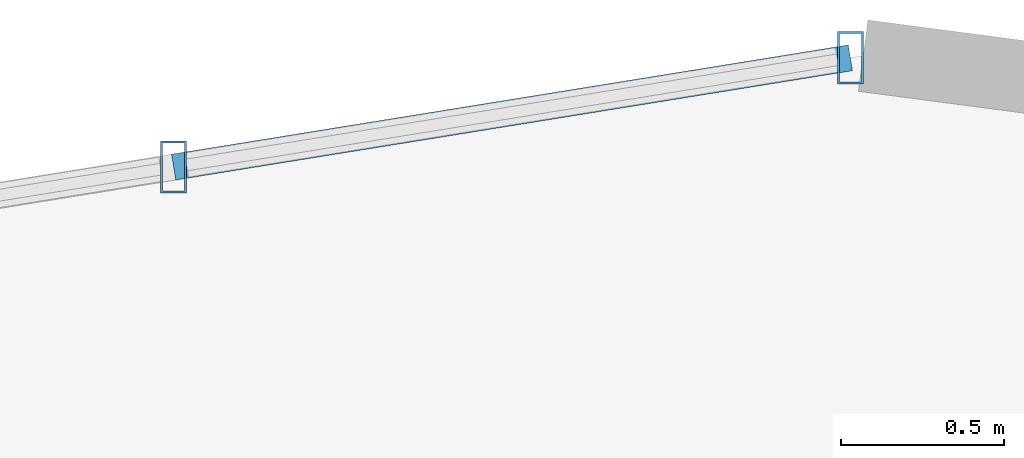
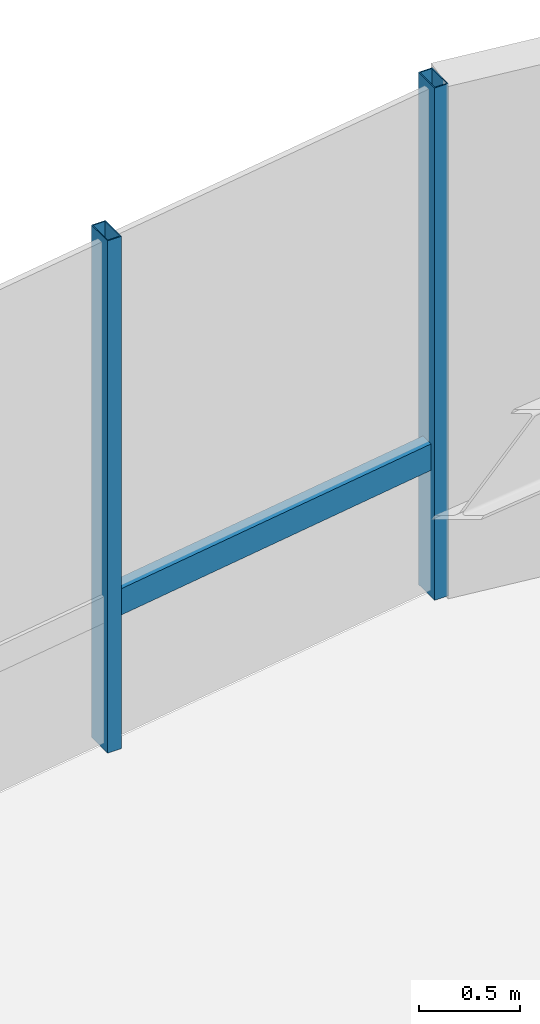
# One storey, part 16 of 22: 3 members, 1 element without a shape of its own.
"""IFC4 building model written with IfcOpenShell, lengths in metres."""

from ifc_helpers import new_model, si_unit, direction, frame, origin, origin_2d, place, context, subcontext, project, spatial, hollow_rectangle, extrude, source, transform, mapped, material, material_profile, profile_set, type_object, element, aggregate, save


model = new_model("IFC4")

# Units and contexts
model_context = context("Model", 3, precision=1e-05, world=origin(), true_north=direction((0.0, 1.0)))
body_context = subcontext(model_context, "Body", "Model", "MODEL_VIEW")
ifc_project = project(units=[si_unit("LENGTHUNIT", "METRE"), si_unit("AREAUNIT", "SQUARE_METRE"), si_unit("VOLUMEUNIT", "CUBIC_METRE"), si_unit("PLANEANGLEUNIT", "RADIAN"), si_unit("MASSUNIT", "GRAM", prefix="KILO")], contexts=[model_context])

# Site, building, storey
site_placement = place(None, origin())
site = spatial("IfcSite", under=ifc_project, at=site_placement, CompositionType="ELEMENT")
building_placement = place(site_placement, origin())
building = spatial("IfcBuilding", under=site, at=building_placement, Name="Sahyath Konkavel Grand Hotel", CompositionType="ELEMENT")
storey_placement = place(building_placement, frame((0.0, 0.0, 241.14990234375)))
storey = spatial("IfcBuildingStorey", under=building, at=storey_placement, Name="L67", CompositionType="ELEMENT", Elevation=241.14990234375)

# Curtain wall, members
ifc_material_1 = material(Name="Anodised Bronze Aluminium & Low-E Glazing", Category="aluminium")
curtain_wall_type = type_object("IfcCurtainWallType", Name="CW-ZONE4", PredefinedType="NOTDEFINED", material=ifc_material_1)
curtain_wall_placement = place(storey_placement, origin())
curtain_wall = element("IfcCurtainWall", 1, at=curtain_wall_placement, inside=storey, type_object=curtain_wall_type, Name="L67 Unitised Curtain Wall F12", PredefinedType="NOTDEFINED")
ifc_material_2 = material(Name="Anodised Bronze Aluminium", Category="aluminium")
ifc_material_profile_1 = material_profile(ifc_material_2, hollow_rectangle(XDim=0.080078125, YDim=0.159912109375, WallThickness=0.006103515625, at=origin_2d()), Name="RHS 160x80x6")
ifc_profile_set_1 = profile_set([ifc_material_profile_1], Name="Anodised Bronze Aluminium")
member_type_1 = type_object("IfcMemberType", Name="CW-MUL-160", PredefinedType="MULLION", material=ifc_profile_set_1)
shared_shape_1 = source(origin(), body_context, "Body", "SweptSolid", [
    extrude(hollow_rectangle(XDim=0.080078125, YDim=0.159912109375, WallThickness=0.006103515625, at=origin_2d()), origin(), (0.0, 0.0, 1.0), 3.110107421875),
])
member_1_placement = place(storey_placement, frame((1.100830078125, 20.222412109375, 0.0), z_axis=(0.0, 0.0, 1.0), x_axis=(1.0, 0.0, 0.0)))
member_1 = element("IfcMember", 2, at=member_1_placement, type_object=member_type_1, Name="L67 Curtain Wall Mullion F12-0", PredefinedType="MULLION", context=body_context, shape_type="MappedRepresentation", body=[
    mapped(shared_shape_1, transform((0.0, 0.0, 0.0), scale=1.0)),
])
member_2_placement = place(storey_placement, frame((-0.969970703125, 19.887939453125, 0.0), z_axis=(0.0, 0.0, 1.0), x_axis=(1.0, 0.0, 0.0)))
member_2 = element("IfcMember", 3, at=member_2_placement, type_object=member_type_1, Name="L67 Curtain Wall Mullion F12-1", PredefinedType="MULLION", context=body_context, shape_type="MappedRepresentation", body=[
    mapped(shared_shape_1, transform((0.0, 0.0, 0.0), scale=1.0)),
])
ifc_material_profile_2 = material_profile(ifc_material_2, hollow_rectangle(XDim=0.080078125, YDim=0.159912109375, WallThickness=0.006103515625, at=origin_2d()), Name="RHS 160x80x6")
ifc_profile_set_2 = profile_set([ifc_material_profile_2], Name="Anodised Bronze Aluminium")
member_type_2 = type_object("IfcMemberType", Name="CW-TRN-160", PredefinedType="USERDEFINED", material=ifc_profile_set_2)
shared_shape_2 = source(origin(), body_context, "Body", "SweptSolid", [
    extrude(hollow_rectangle(XDim=0.080078125, YDim=0.159912109375, WallThickness=0.006103515625, at=origin_2d()), origin(), (0.0, 0.0, 1.0), 2.09765625),
])
member_3_placement = place(storey_placement, frame((1.100830078125, 20.222412109375, 0.85009765625), z_axis=(-0.987205684033, -0.159451990937, 0.0), x_axis=(0.159451990937, -0.987205684033, 0.0)))
member_3 = element("IfcMember", 4, at=member_3_placement, type_object=member_type_2, Name="L67 Curtain Wall Transom F12-0-spandrel", ObjectType="TRANSOM", PredefinedType="USERDEFINED", context=body_context, shape_type="MappedRepresentation", body=[
    mapped(shared_shape_2, transform((0.0, 0.0, 0.0), scale=1.0)),
])
aggregate(curtain_wall, [member_1, member_2, member_3])

save(model, "model.ifc")
